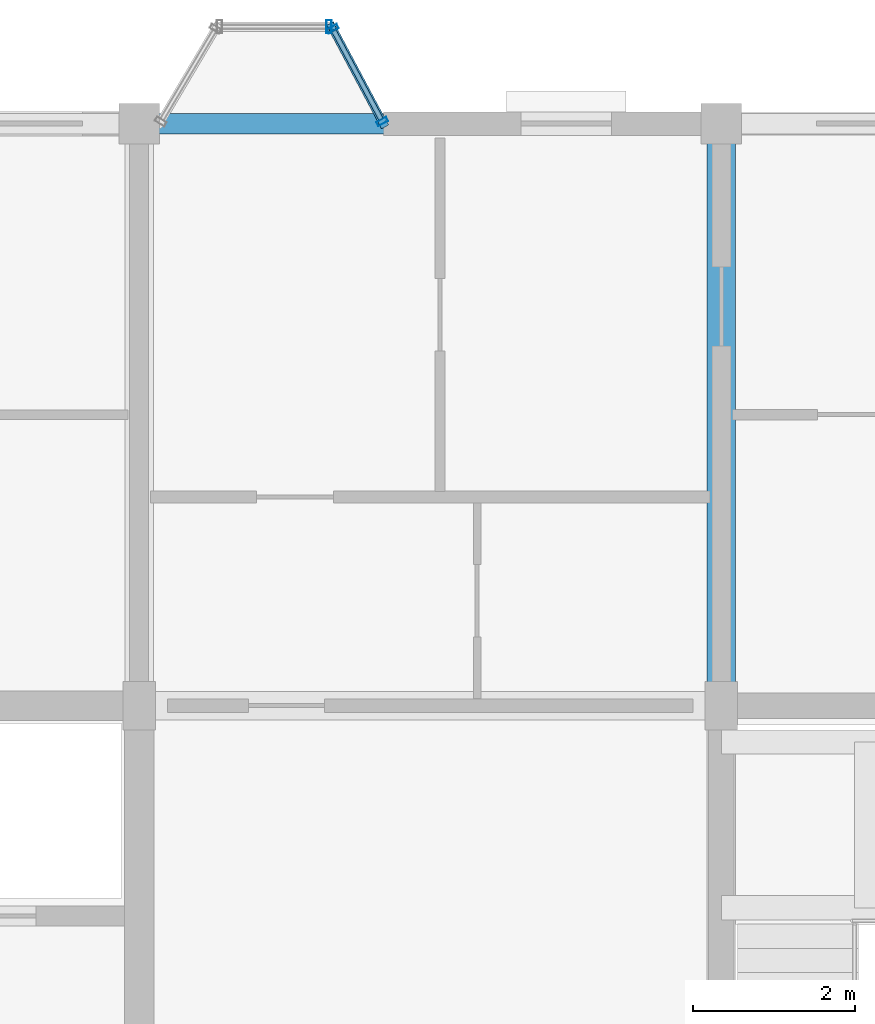
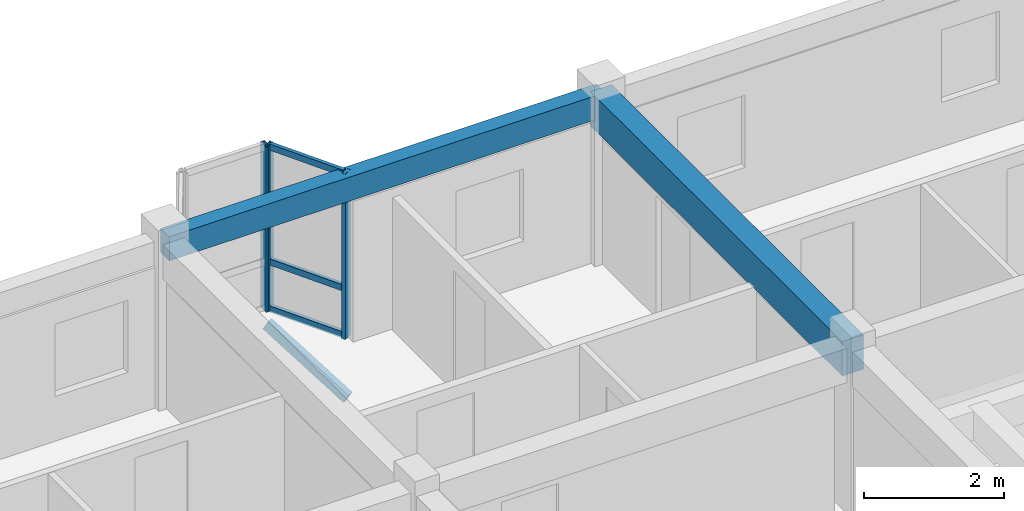
# One storey, part 40 of 70: 7 members, 2 beams, 2 elements without a shape of their own.
"""IFC4 building model written with IfcOpenShell, lengths in metres."""

import ifcopenshell
import ifcopenshell.guid

model = None  # the IFC model being written
_history = None  # IfcOwnerHistory: only IFC2X3 demands one
_inside = {}  # id of a spatial element -> (the spatial element, [elements in it])
_under = {}  # id of a project, library or spatial element -> (it, [spatial elements below it])
_declared = {}  # id of a project -> (the project, [libraries it declares])
_typed = {}  # id of a type object -> (the type object, [elements of that type])
_made_of = {}  # id of a material, layer set ... -> (it, [elements and type objects made of it])


def new_model(schema):
    """Start an empty IFC model of exactly this schema.

    Asked for "IFC4X3", IfcOpenShell would pick the latest addendum, in which some entities
    have other attributes; the version numbers below select the first issue.
    IFC2X3 requires an IfcOwnerHistory on every rooted entity: one is made here for all.
    """
    global model, _history
    if schema == "IFC4X3":
        model = ifcopenshell.file(schema_version=(4, 3, 0, 0))
    else:
        model = ifcopenshell.file(schema=schema)
    _inside.clear()
    _under.clear()
    _declared.clear()
    _typed.clear()
    _made_of.clear()
    _history = None
    if model.schema == "IFC2X3":
        org = make("IfcOrganization", Name="unknown")
        user = make(
            "IfcPersonAndOrganization",
            ThePerson=make("IfcPerson", FamilyName="unknown"),
            TheOrganization=org,
        )
        app = make(
            "IfcApplication",
            ApplicationDeveloper=org,
            Version="unknown",
            ApplicationFullName="unknown",
            ApplicationIdentifier="unknown",
        )
        _history = make(
            "IfcOwnerHistory",
            OwningUser=user,
            OwningApplication=app,
            ChangeAction="ADDED",
            CreationDate=0,
        )
    return model


def make(cls, **values):
    """One entity of the class cls with the attributes given. An attribute that is None is left unset."""
    return model.create_entity(
        cls, **{name: value for name, value in values.items() if value is not None}
    )


def rooted(cls, **values):
    """An entity with a GlobalId (a new one), such as an element, a storey or a relation."""
    return make(cls, GlobalId=ifcopenshell.guid.new(), OwnerHistory=_history, **values)


def si_unit(unit_type, name, prefix=None):
    """IfcSIUnit, for example si_unit("LENGTHUNIT", "METRE", prefix="MILLI")."""
    return make("IfcSIUnit", UnitType=unit_type, Prefix=prefix, Name=name)


def assignment(units):
    """IfcUnitAssignment: the units of a project."""
    return None if units is None else make("IfcUnitAssignment", Units=units)


def point(xyz):
    """IfcCartesianPoint."""
    return None if xyz is None else make("IfcCartesianPoint", Coordinates=xyz)


def direction(xyz):
    """IfcDirection."""
    return None if xyz is None else make("IfcDirection", DirectionRatios=xyz)


def frame(location, z_axis=None, x_axis=None):
    """IfcAxis2Placement3D, a coordinate frame: its origin and axes. An axis left out is left unset."""
    return make(
        "IfcAxis2Placement3D",
        Location=point(location),
        Axis=direction(z_axis),
        RefDirection=direction(x_axis),
    )


def frame_2d(location, x_axis=None):
    """IfcAxis2Placement2D, a coordinate frame in the plane: its origin and x axis."""
    return make(
        "IfcAxis2Placement2D", Location=point(location), RefDirection=direction(x_axis)
    )


def origin():
    """The frame at (0, 0, 0) with its axes left unset."""
    return frame((0.0, 0.0, 0.0))


def origin_2d():
    """The frame at (0, 0) in the plane with its x axis left unset."""
    return frame_2d((0.0, 0.0))


def place(relative_to, where):
    """IfcLocalPlacement: puts the frame where relative to a parent placement (None: the world)."""
    return make(
        "IfcLocalPlacement", PlacementRelTo=relative_to, RelativePlacement=where
    )


def context(
    kind, dimensions, precision=None, world=None, true_north=None, identifier=None
):
    """IfcGeometricRepresentationContext, for example the 3D "Model" context."""
    return make(
        "IfcGeometricRepresentationContext",
        ContextIdentifier=identifier,
        ContextType=kind,
        CoordinateSpaceDimension=dimensions,
        Precision=precision,
        WorldCoordinateSystem=world,
        TrueNorth=true_north,
    )


def subcontext(parent, identifier, kind, view, scale=None):
    """IfcGeometricRepresentationSubContext, for example "Body" below "Model"."""
    return make(
        "IfcGeometricRepresentationSubContext",
        ContextIdentifier=identifier,
        ContextType=kind,
        ParentContext=parent,
        TargetScale=scale,
        TargetView=view,
    )


def project(units=None, contexts=None):
    """IfcProject with its units and contexts."""
    return rooted(
        "IfcProject",
        Name="project",
        RepresentationContexts=contexts,
        UnitsInContext=assignment(units),
    )


def spatial(cls, under=None, at=None, **own):
    """A site, building, storey or space (cls), placed at a placement, below another one or the project."""
    s = rooted(cls, ObjectPlacement=at, **own)
    if under is not None:
        _under.setdefault(under.id(), (under, []))[1].append(s)
    return s


def profile(cls, at=None, kind="AREA", **sizes):
    """A parametric profile (cls). Its sizes go by their IFC names, for example OverallWidth=200.0."""
    return make(cls, ProfileType=kind, Position=at, **sizes)


def rectangle(**sizes):
    """IfcRectangleProfileDef."""
    return profile("IfcRectangleProfileDef", **sizes)


def hollow_rectangle(**sizes):
    """IfcRectangleHollowProfileDef."""
    return profile("IfcRectangleHollowProfileDef", **sizes)


def extrude(swept, where, along, depth):
    """IfcExtrudedAreaSolid: the profile swept, set in the frame where, extruded along a direction by depth."""
    return make(
        "IfcExtrudedAreaSolid",
        SweptArea=swept,
        Position=where,
        ExtrudedDirection=direction(along),
        Depth=depth,
    )


def shape(context_of_items, identifier, shape_type, items):
    """IfcShapeRepresentation: the items that make up one representation, for example the "Body"."""
    return make(
        "IfcShapeRepresentation",
        ContextOfItems=context_of_items,
        RepresentationIdentifier=identifier,
        RepresentationType=shape_type,
        Items=items,
    )


def material(Name=None, Category=None):
    """IfcMaterial."""
    return make("IfcMaterial", Name=Name, Category=Category)


def layer(
    of_material, thickness, ventilated=None, Name=None, Category=None, Priority=None
):
    """IfcMaterialLayer: one layer of a wall or slab, of a material (None: an air gap)."""
    return make(
        "IfcMaterialLayer",
        Material=of_material,
        LayerThickness=thickness,
        IsVentilated=ventilated,
        Name=Name,
        Category=Category,
        Priority=Priority,
    )


def layer_set(layers, Name=None):
    """IfcMaterialLayerSet."""
    return make("IfcMaterialLayerSet", MaterialLayers=layers, LayerSetName=Name)


def material_profile(
    of_material, cross_section, Name=None, Category=None, Priority=None
):
    """IfcMaterialProfile: a cross section and its material."""
    return make(
        "IfcMaterialProfile",
        Name=Name,
        Material=of_material,
        Profile=cross_section,
        Priority=Priority,
        Category=Category,
    )


def profile_set(profiles, Name=None, composite=None):
    """IfcMaterialProfileSet."""
    return make(
        "IfcMaterialProfileSet",
        Name=Name,
        MaterialProfiles=profiles,
        CompositeProfile=composite,
    )


def made_of(thing, what):
    """Note that an element or type object is made of a material, layer set ...; save() writes the relation."""
    if what is not None:
        _made_of.setdefault(what.id(), (what, []))[1].append(thing)
    return thing


def type_object(cls, material=None, **own):
    """A type object (cls), such as IfcWallType, which elements share."""
    return made_of(rooted(cls, **own), material)


def element(
    cls,
    number,
    at=None,
    inside=None,
    cuts=None,
    type_object=None,
    material=None,
    context=None,
    identifier="Body",
    shape_type=None,
    held_by="IfcProductDefinitionShape",
    body=None,
    shapes=None,
    **own,
):
    """One element of the class cls, such as IfcWall. Its Tag is "e" and its number.

    at: its placement. inside: the storey or other place that contains it. cuts: it is an
    opening in that element (IfcRelVoidsElement). A single representation is given by context,
    identifier, shape_type and body (its items); several are given by shapes. held_by: the class
    of the entity that holds the representations. save() writes the other relations.
    """
    e = rooted(cls, Tag="e%d" % number, ObjectPlacement=at, **own)
    if body is not None:
        shapes = [shape(context, identifier, shape_type, body)]
    if shapes is not None:
        e.Representation = make(held_by, Representations=shapes)
    if inside is not None:
        _inside.setdefault(inside.id(), (inside, []))[1].append(e)
    if cuts is not None:
        rooted(
            "IfcRelVoidsElement", RelatingBuildingElement=cuts, RelatedOpeningElement=e
        )
    if type_object is not None:
        _typed.setdefault(type_object.id(), (type_object, []))[1].append(e)
    return made_of(e, material)


def aggregate(whole, parts):
    """IfcRelAggregates: a whole, such as a stair, and the parts it consists of."""
    return rooted("IfcRelAggregates", RelatingObject=whole, RelatedObjects=parts)


def save(model, path):
    """Write the relations noted so far, then the file.

    IfcRelAggregates (storeys below a building ...), IfcRelContainedInSpatialStructure (elements
    in a storey), IfcRelDefinesByType, IfcRelAssociatesMaterial and IfcRelDeclares: one each for
    every whole, place, type object, material and project.
    """
    for whole, parts in _under.values():
        aggregate(whole, parts)
    for where, things in _inside.values():
        rooted(
            "IfcRelContainedInSpatialStructure",
            RelatedElements=things,
            RelatingStructure=where,
        )
    for kind, things in _typed.values():
        rooted("IfcRelDefinesByType", RelatedObjects=things, RelatingType=kind)
    for what, things in _made_of.values():
        rooted("IfcRelAssociatesMaterial", RelatedObjects=things, RelatingMaterial=what)
    for by, libraries in _declared.values():
        rooted("IfcRelDeclares", RelatingContext=by, RelatedDefinitions=libraries)
    model.write(path)


model = new_model("IFC4")

# Units and contexts
model_context = context("Model", 3, precision=1e-05, world=origin(), true_north=direction((0.0, 1.0)))
body_context = subcontext(model_context, "Body", "Model", "MODEL_VIEW")
ifc_project = project(units=[si_unit("LENGTHUNIT", "METRE"), si_unit("AREAUNIT", "SQUARE_METRE"), si_unit("VOLUMEUNIT", "CUBIC_METRE"), si_unit("PLANEANGLEUNIT", "RADIAN"), si_unit("MASSUNIT", "GRAM", prefix="KILO"), si_unit("THERMODYNAMICTEMPERATUREUNIT", "KELVIN"), si_unit("POWERUNIT", "WATT")], contexts=[model_context])

# Site, building, storey
site_placement = place(None, origin())
site = spatial("IfcSite", under=ifc_project, at=site_placement, CompositionType="ELEMENT")
building_placement = place(site_placement, origin())
building = spatial("IfcBuilding", under=site, at=building_placement, Name="Tavuni Mirador Residences", CompositionType="ELEMENT")
storey_placement = place(building_placement, frame((0.0, 0.0, 23.39990234375)))
storey = spatial("IfcBuildingStorey", under=building, at=storey_placement, Name="L07", CompositionType="ELEMENT", Elevation=23.39990234375)

# Beams
ifc_material_1 = material(Name="Precast concrete C40/50", Category="concrete")
ifc_material_profile_1 = material_profile(ifc_material_1, rectangle(XDim=0.35009765625, YDim=0.60009765625, at=origin_2d()), Name="PC 350x600", Category="concrete")
ifc_profile_set_1 = profile_set([ifc_material_profile_1], Name="Precast concrete C40/50")
beam_type_1 = type_object("IfcBeamType", Name="BT-B600", PredefinedType="BEAM", material=ifc_profile_set_1)
beam_1_placement = place(storey_placement, frame((39.60009765625, 165.60009765625, 2.585205078125), z_axis=(0.0, 1.0, 0.0), x_axis=(-1.0, 0.0, 0.0)))
element("IfcBeam", 1, at=beam_1_placement, inside=storey, type_object=beam_type_1, Name="BMY-BLK-C-L07-04-03", PredefinedType="BEAM", context=body_context, shape_type="SweptSolid", body=[
    extrude(rectangle(XDim=0.35009765625, YDim=0.60009765625, at=origin_2d()), origin(), (0.0, 0.0, 1.0), 7.199951171875),
])
ifc_material_profile_2 = material_profile(ifc_material_1, rectangle(XDim=0.25, YDim=0.419921875, at=origin_2d()), Name="PC 250x420", Category="concrete")
ifc_profile_set_2 = profile_set([ifc_material_profile_2], Name="Precast concrete C40/50")
beam_type_2 = type_object("IfcBeamType", Name="BT-SP420", PredefinedType="SPANDREL", material=ifc_profile_set_2)
beam_2_placement = place(storey_placement, frame((32.39990234375, 172.800048828125, 2.675048828125), z_axis=(1.0, 0.0, 0.0), x_axis=(0.0, 1.0, 0.0)))
element("IfcBeam", 2, at=beam_2_placement, inside=storey, type_object=beam_type_2, Name="BMX-BLK-C-L07-03-04", PredefinedType="SPANDREL", context=body_context, shape_type="SweptSolid", body=[
    extrude(rectangle(XDim=0.25, YDim=0.419921875, at=origin_2d()), origin(), (0.0, 0.0, 1.0), 7.2001953125),
])

# Curtain wall, members
ifc_material_2 = material(Name="Anodised aluminium", Category="aluminium")
ifc_layer_1 = layer(ifc_material_2, 0.1650390625, Name="Anodised aluminium", Category="aluminium")
ifc_layer_set_1 = layer_set([ifc_layer_1], Name="Anodised aluminium")
curtain_wall_type_1 = type_object("IfcCurtainWallType", Name="CWT-MIR-A", PredefinedType="NOTDEFINED", material=ifc_layer_set_1)
curtain_wall_1_placement = place(storey_placement, origin())
curtain_wall_1 = element("IfcCurtainWall", 3, at=curtain_wall_1_placement, inside=storey, type_object=curtain_wall_type_1, Name="CW-MIR-C-N2-L07-M1", PredefinedType="NOTDEFINED")
ifc_material_profile_3 = material_profile(ifc_material_2, hollow_rectangle(XDim=0.06005859375, YDim=0.139892578125, WallThickness=0.00390625, at=origin_2d()), Name="ALU 60x140x4.0", Category="aluminium")
ifc_profile_set_3 = profile_set([ifc_material_profile_3], Name="Anodised aluminium")
member_type_1 = type_object("IfcMemberType", Name="CWM-140", PredefinedType="MULLION", material=ifc_profile_set_3)
member_1_placement = place(storey_placement, frame((35.40576171875, 172.826416015625, 0.0), z_axis=(0.0, 0.0, 1.0), x_axis=(-0.470588235296, 0.882352941175, 0.0)))
member_1 = element("IfcMember", 4, at=member_1_placement, type_object=member_type_1, Name="CW-01 mullion 1", PredefinedType="MULLION", context=body_context, shape_type="SweptSolid", body=[
    extrude(hollow_rectangle(XDim=0.06005859375, YDim=0.139892578125, WallThickness=0.00390625, at=origin_2d()), origin(), (0.0, 0.0, 1.0), 2.885009765625),
])
member_2_placement = place(storey_placement, frame((34.794189453125, 173.9736328125, 0.0), z_axis=(0.0, 0.0, 1.0), x_axis=(-0.470588235296, 0.882352941175, 0.0)))
member_2 = element("IfcMember", 5, at=member_2_placement, type_object=member_type_1, Name="CW-01 mullion 2", PredefinedType="MULLION", context=body_context, shape_type="SweptSolid", body=[
    extrude(hollow_rectangle(XDim=0.06005859375, YDim=0.139892578125, WallThickness=0.00390625, at=origin_2d()), origin(), (0.0, 0.0, 1.0), 2.885009765625),
])

# Curtain wall, member
ifc_layer_2 = layer(ifc_material_2, 0.14990234375, Name="Anodised aluminium", Category="aluminium")
ifc_layer_set_2 = layer_set([ifc_layer_2], Name="Anodised aluminium")
curtain_wall_type_2 = type_object("IfcCurtainWallType", Name="CWT-MIR-B", PredefinedType="NOTDEFINED", material=ifc_layer_set_2)
curtain_wall_2_placement = place(storey_placement, origin())
curtain_wall_2 = element("IfcCurtainWall", 6, at=curtain_wall_2_placement, inside=storey, type_object=curtain_wall_type_2, Name="CW-MIR-C-N2-L07-MF", PredefinedType="NOTDEFINED")
ifc_material_profile_4 = material_profile(ifc_material_2, hollow_rectangle(XDim=0.06494140625, YDim=0.1650390625, WallThickness=0.00439453125, at=origin_2d()), Name="ALU 65x165x4.5", Category="aluminium")
ifc_profile_set_4 = profile_set([ifc_material_profile_4], Name="Anodised aluminium")
member_type_2 = type_object("IfcMemberType", Name="CWM-165", PredefinedType="MULLION", material=ifc_profile_set_4)
member_3_placement = place(storey_placement, frame((34.74755859375, 174.0, 0.0), z_axis=(0.0, 0.0, 1.0), x_axis=(-1.0, 0.0, 0.0)))
member_3 = element("IfcMember", 7, at=member_3_placement, type_object=member_type_2, Name="CW-02 mullion 1", PredefinedType="MULLION", context=body_context, shape_type="SweptSolid", body=[
    extrude(hollow_rectangle(XDim=0.06494140625, YDim=0.1650390625, WallThickness=0.00439453125, at=origin_2d()), origin(), (0.0, 0.0, 1.0), 2.885009765625),
])
aggregate(curtain_wall_2, [member_3])

# Member
ifc_material_profile_5 = material_profile(ifc_material_2, hollow_rectangle(XDim=0.06005859375, YDim=0.110107421875, WallThickness=0.00390625, at=origin_2d()), Name="ALU 60x110x4.0", Category="aluminium")
ifc_profile_set_5 = profile_set([ifc_material_profile_5], Name="Anodised aluminium")
member_type_3 = type_object("IfcMemberType", Name="CWT-110", PredefinedType="USERDEFINED", material=ifc_profile_set_5)
member_4_placement = place(storey_placement, frame((35.391845703125, 172.85302734375, 0.030029296875), z_axis=(-0.470608675382, 0.882342039492, 0.0), x_axis=(-0.882342039492, -0.470608675382, 0.0)))
member_4 = element("IfcMember", 8, at=member_4_placement, type_object=member_type_3, Name="CW-01 transom 1.1", ObjectType="TRANSOM", PredefinedType="USERDEFINED", context=body_context, shape_type="SweptSolid", body=[
    extrude(hollow_rectangle(XDim=0.06005859375, YDim=0.110107421875, WallThickness=0.00390625, at=origin_2d()), origin(), (0.0, 0.0, 1.0), 1.239990234375),
])

member_5_placement = place(storey_placement, frame((35.391845703125, 172.85302734375, 0.85009765625), z_axis=(-0.470608675382, 0.882342039492, 0.0), x_axis=(-0.882342039492, -0.470608675382, 0.0)))
member_5 = element("IfcMember", 9, at=member_5_placement, type_object=member_type_3, Name="CW-01 transom 1.2", ObjectType="TRANSOM", PredefinedType="USERDEFINED", context=body_context, shape_type="SweptSolid", body=[
    extrude(hollow_rectangle(XDim=0.06005859375, YDim=0.110107421875, WallThickness=0.00390625, at=origin_2d()), origin(), (0.0, 0.0, 1.0), 1.239990234375),
])

member_6_placement = place(storey_placement, frame((35.391845703125, 172.85302734375, 2.85498046875), z_axis=(-0.470608675382, 0.882342039492, 0.0), x_axis=(-0.882342039492, -0.470608675382, 0.0)))
member_6 = element("IfcMember", 10, at=member_6_placement, type_object=member_type_3, Name="CW-01 transom 1.3", ObjectType="TRANSOM", PredefinedType="USERDEFINED", context=body_context, shape_type="SweptSolid", body=[
    extrude(hollow_rectangle(XDim=0.06005859375, YDim=0.110107421875, WallThickness=0.00390625, at=origin_2d()), origin(), (0.0, 0.0, 1.0), 1.239990234375),
])

aggregate(curtain_wall_1, [member_1, member_2, member_4, member_5, member_6])

ifc_material_3 = material(Name="Structural steel S355", Category="steel")
ifc_material_profile_6 = material_profile(ifc_material_3, hollow_rectangle(XDim=0.10009765625, YDim=0.179931640625, WallThickness=0.008056640625, at=origin_2d()), Name="RHS 180x100x8.0", Category="steel")
ifc_profile_set_6 = profile_set([ifc_material_profile_6], Name="Structural steel S355")
member_type_4 = type_object("IfcMemberType", Name="MT-BR-RHS180", PredefinedType="BRACE", material=ifc_profile_set_6)
member_7_placement = place(storey_placement, frame((35.419921875, 172.800048828125, -1.0498046875), z_axis=(-0.407530885562, 0.764217589674, 0.499890040855), x_axis=(-0.882377788047, -0.47054164445, 0.0)))
element("IfcMember", 11, at=member_7_placement, inside=storey, type_object=member_type_4, Name="MBRK-MIR-C-N2-L07-2", PredefinedType="BRACE", context=body_context, shape_type="SweptSolid", body=[
    extrude(hollow_rectangle(XDim=0.10009765625, YDim=0.179931640625, WallThickness=0.008056640625, at=origin_2d()), origin(), (0.0, 0.0, 1.0), 1.570068359375),
])

save(model, "model.ifc")
